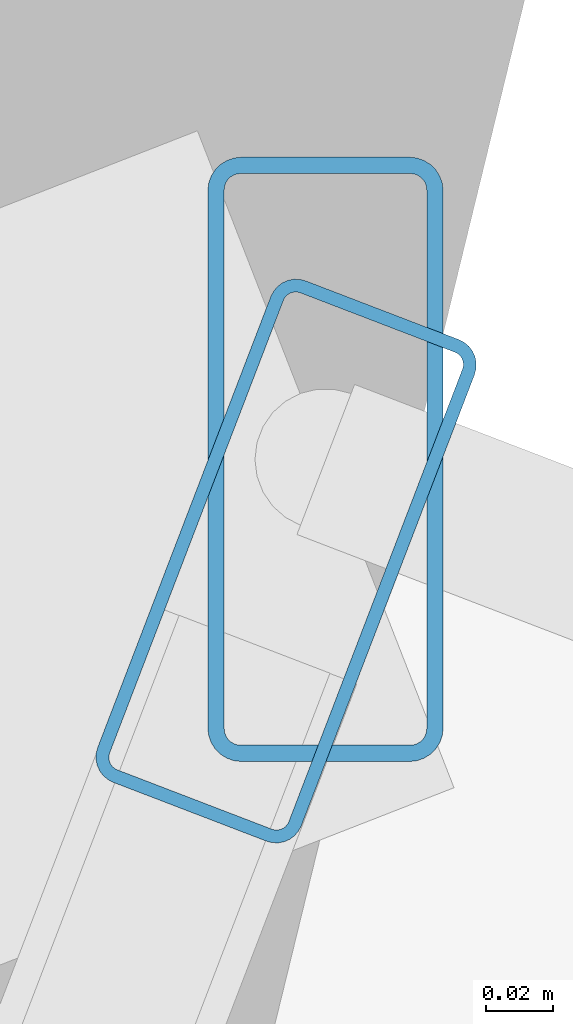
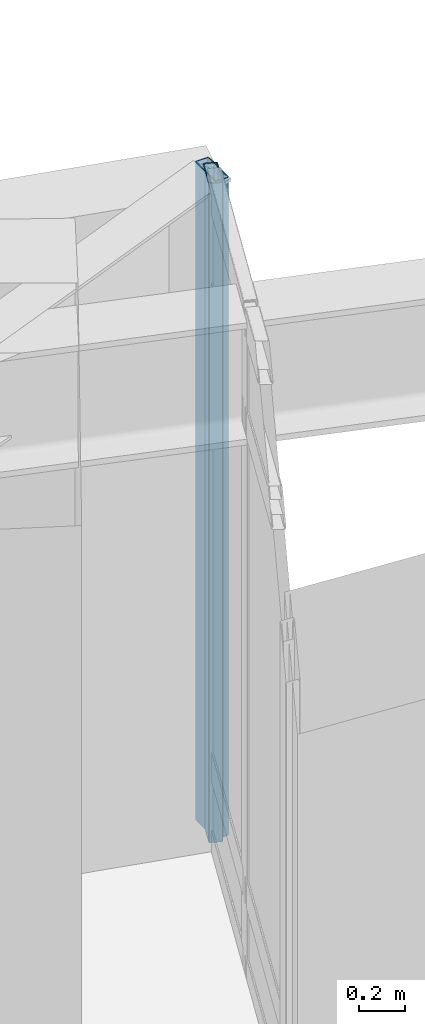
# One storey, part 4 of 13: 2 members, 1 element without a shape of its own.
"""IFC4 building model written with IfcOpenShell, lengths in metres."""

from ifc_helpers import new_model, si_unit, direction, frame, origin, origin_2d, place, context, subcontext, project, spatial, hollow_rectangle, extrude, material, layer, layer_set, material_profile, profile_set, type_object, element, aggregate, save


model = new_model("IFC4")

# Units and contexts
model_context = context("Model", 3, precision=1e-05, world=origin(), true_north=direction((0.0, 1.0)))
body_context = subcontext(model_context, "Body", "Model", "MODEL_VIEW")
ifc_project = project(units=[si_unit("LENGTHUNIT", "METRE"), si_unit("AREAUNIT", "SQUARE_METRE"), si_unit("VOLUMEUNIT", "CUBIC_METRE"), si_unit("PLANEANGLEUNIT", "RADIAN"), si_unit("MASSUNIT", "GRAM", prefix="KILO")], contexts=[model_context])

# Site, building, storey
site_placement = place(None, origin())
site = spatial("IfcSite", under=ifc_project, at=site_placement, CompositionType="ELEMENT")
building_placement = place(site_placement, origin())
building = spatial("IfcBuilding", under=site, at=building_placement, Name="Ndelora Gate Hotel", CompositionType="ELEMENT")
storey_placement = place(building_placement, frame((0.0, 0.0, 157.25)))
storey = spatial("IfcBuildingStorey", under=building, at=storey_placement, Name="L39", CompositionType="ELEMENT", Elevation=157.25)

# Curtain wall, members
ifc_material_1 = material(Name="Bronze Anodised Unitised Aluminium and Low-E Glass", Category="aluminium")
ifc_layer = layer(ifc_material_1, 0.199951171875)
ifc_layer_set = layer_set([ifc_layer], Name="Bronze Anodised Unitised Aluminium and Low-E Glass")
curtain_wall_type = type_object("IfcCurtainWallType", Name="CW-SYS-3", PredefinedType="NOTDEFINED", material=ifc_layer_set)
curtain_wall_placement = place(storey_placement, origin())
curtain_wall = element("IfcCurtainWall", 1, at=curtain_wall_placement, inside=storey, type_object=curtain_wall_type, Name="L39 Sky-Garden Loggia Side Curtain Wall CW3-2", PredefinedType="NOTDEFINED")
ifc_material_2 = material(Name="Bronze Anodised Aluminium 6063-T6", Category="aluminium")
ifc_material_profile_1 = material_profile(ifc_material_2, hollow_rectangle(XDim=0.06494140625, YDim=0.159912109375, WallThickness=0.00390625, InnerFilletRadius=0.00390625, OuterFilletRadius=0.008056640625, at=origin_2d()), Name="ALU 160x65x4")
ifc_profile_set_1 = profile_set([ifc_material_profile_1], Name="Bronze Anodised Aluminium 6063-T6")
member_type_1 = type_object("IfcMemberType", Name="MB-CW-MUL150", PredefinedType="MULLION", material=ifc_profile_set_1)
member_1_placement = place(storey_placement, frame((1.088134765625, 17.34521484375, -0.00390625), z_axis=(0.0, 0.0, 1.0), x_axis=(0.933577378035, -0.35837589096, 0.0)))
member_1 = element("IfcMember", 2, at=member_1_placement, type_object=member_type_1, Name="CW3 mullion 1", PredefinedType="MULLION", context=body_context, shape_type="SweptSolid", body=[
    extrude(hollow_rectangle(XDim=0.06494140625, YDim=0.159912109375, WallThickness=0.00390625, InnerFilletRadius=0.00390625, OuterFilletRadius=0.008056640625, at=origin_2d()), origin(), (0.0, 0.0, 1.0), 3.5078125),
])
ifc_material_profile_2 = material_profile(ifc_material_2, hollow_rectangle(XDim=0.070068359375, YDim=0.179931640625, WallThickness=0.0048828125, InnerFilletRadius=0.0048828125, OuterFilletRadius=0.010009765625, at=origin_2d()), Name="ALU 180x70x5")
ifc_profile_set_2 = profile_set([ifc_material_profile_2], Name="Bronze Anodised Aluminium 6063-T6")
member_type_2 = type_object("IfcMemberType", Name="MB-CW-MUL180", PredefinedType="MULLION", material=ifc_profile_set_2)
member_2_placement = place(storey_placement, frame((1.099853515625, 17.37548828125, 0.0), z_axis=(0.0, 0.0, 1.0), x_axis=(1.0, 0.0, 0.0)))
member_2 = element("IfcMember", 3, at=member_2_placement, type_object=member_type_2, Name="L39 Sky-Garden Loggia Corner Mullion Post 2", PredefinedType="MULLION", context=body_context, shape_type="SweptSolid", body=[
    extrude(hollow_rectangle(XDim=0.070068359375, YDim=0.179931640625, WallThickness=0.0048828125, InnerFilletRadius=0.0048828125, OuterFilletRadius=0.010009765625, at=origin_2d()), origin(), (0.0, 0.0, 1.0), 3.5),
])
aggregate(curtain_wall, [member_1, member_2])

save(model, "model.ifc")
